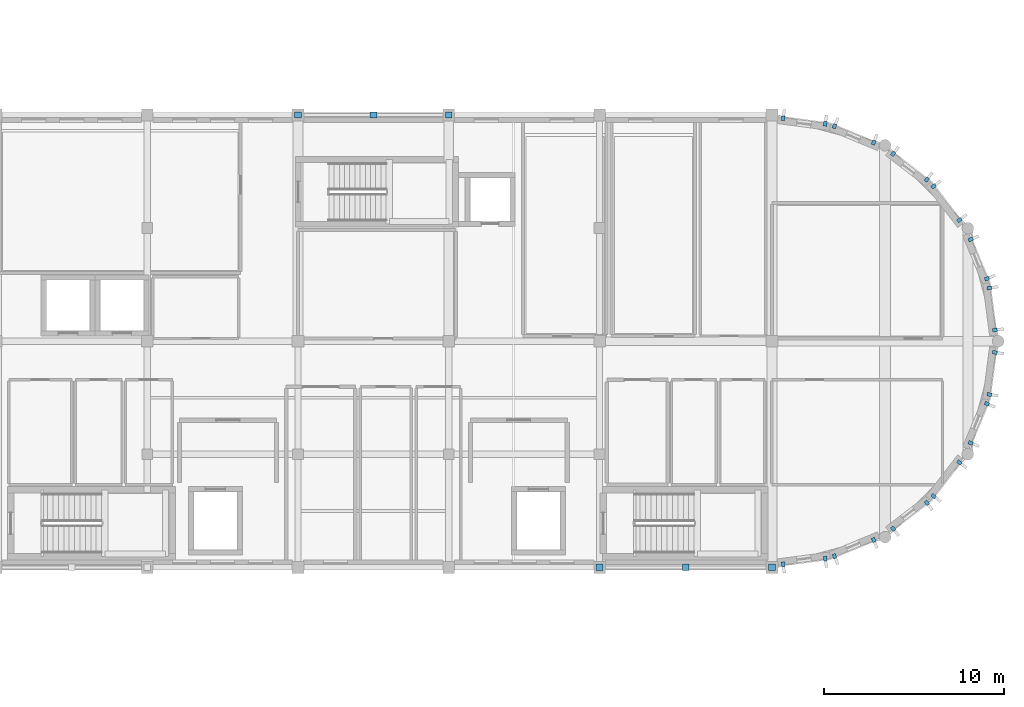
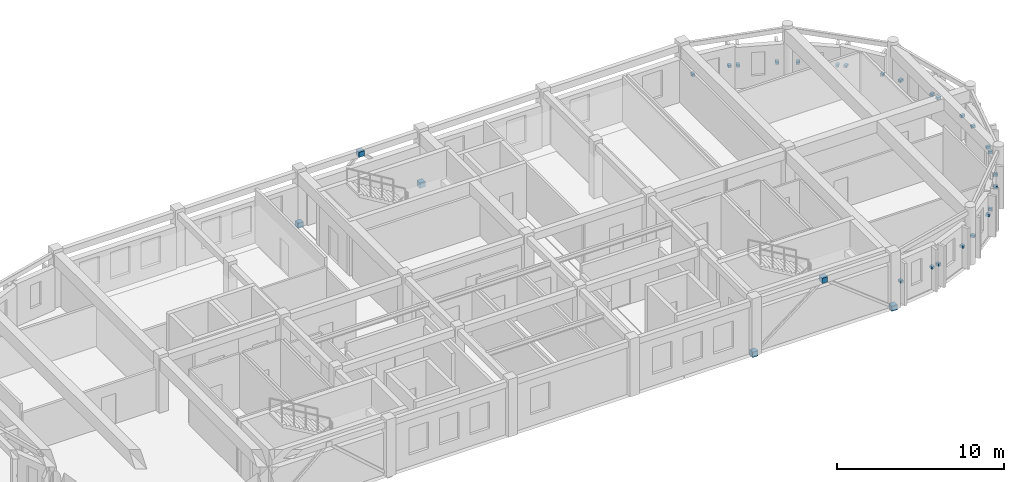
# One storey, part 22 of 29: 30 discrete accessories.
"""IFC4 building model written with IfcOpenShell, lengths in metres."""

from ifc_helpers import new_model, si_unit, direction, frame, origin, origin_2d, place, context, subcontext, project, spatial, rectangle, extrude, material, type_object, element, save


model = new_model("IFC4")

# Units and contexts
model_context = context("Model", 3, precision=1e-05, world=origin(), true_north=direction((0.0, 1.0)))
body_context = subcontext(model_context, "Body", "Model", "MODEL_VIEW")
ifc_project = project(units=[si_unit("LENGTHUNIT", "METRE"), si_unit("AREAUNIT", "SQUARE_METRE"), si_unit("VOLUMEUNIT", "CUBIC_METRE"), si_unit("PLANEANGLEUNIT", "RADIAN"), si_unit("MASSUNIT", "GRAM", prefix="KILO")], contexts=[model_context])

# Site, building, storey
site_placement = place(None, origin())
site = spatial("IfcSite", under=ifc_project, at=site_placement, CompositionType="ELEMENT")
building_placement = place(site_placement, origin())
building = spatial("IfcBuilding", under=site, at=building_placement, Name="Tarnavel Promenade Courthouse", CompositionType="ELEMENT")
storey_placement = place(building_placement, frame((0.0, 0.0, 22.800048828125)))
storey = spatial("IfcBuildingStorey", under=building, at=storey_placement, Name="L06", CompositionType="ELEMENT", Elevation=22.800048828125)

# Discrete accessories
ifc_material = material(Name="Steel S355J2", Category="steel")
discrete_accessory_type_1 = type_object("IfcDiscreteAccessoryType", Name="Steel S355J2 Facade Pier Anchor Bracket", PredefinedType="BRACKET", material=ifc_material)
for number, where, z_axis, x_axis, name in (
    (1, (102.62646484375, 79.38330078125, 1.4599609375), (0.0, 0.0, 1.0), (0.991444861374, 0.13052619222, 0.0), "L06 Drum Pier Bracket 0199"),
    (2, (104.970458984375, 79.69189453125, 1.4599609375), (0.0, 0.0, 1.0), (0.991444861374, 0.13052619222, 0.0), "L06 Drum Pier Bracket 0200"),
    (3, (105.4814453125, 79.828857421875, 1.41015625), (0.0, 0.0, 1.0), (0.923879532511, 0.382683432365, 0.0), "L06 Drum Pier Bracket 0201"),
    (4, (107.665771484375, 80.733642578125, 1.41015625), (0.0, 0.0, 1.0), (0.923879532511, 0.382683432365, 0.0), "L06 Drum Pier Bracket 0202"),
    (5, (108.750732421875, 81.360107421875, 1.41015625), (0.0, 0.0, 1.0), (0.793353340291, 0.608761429009, 0.0), "L06 Drum Pier Bracket 0203"),
    (6, (110.62646484375, 82.79931640625, 1.41015625), (0.0, 0.0, 1.0), (0.793353340291, 0.608761429009, 0.0), "L06 Drum Pier Bracket 0204"),
    (7, (111.000732421875, 83.173583984375, 1.4599609375), (0.0, 0.0, 1.0), (0.608761429009, 0.793353340291, 0.0), "L06 Drum Pier Bracket 0205"),
    (8, (112.43994140625, 85.04931640625, 1.4599609375), (0.0, 0.0, 1.0), (0.608761429009, 0.793353340291, 0.0), "L06 Drum Pier Bracket 0206"),
    (9, (113.06640625, 86.13427734375, 1.4599609375), (0.0, 0.0, 1.0), (0.382683432365, 0.923879532511, 0.0), "L06 Drum Pier Bracket 0207"),
    (10, (113.97119140625, 88.318603515625, 1.4599609375), (0.0, 0.0, 1.0), (0.382683432365, 0.923879532511, 0.0), "L06 Drum Pier Bracket 0208"),
    (11, (114.108154296875, 88.82958984375, 1.4599609375), (0.0, 0.0, 1.0), (0.13052619222, 0.991444861374, 0.0), "L06 Drum Pier Bracket 0209"),
    (12, (114.416748046875, 91.173583984375, 1.4599609375), (0.0, 0.0, 1.0), (0.13052619222, 0.991444861374, 0.0), "L06 Drum Pier Bracket 0210"),
    (13, (114.416748046875, 92.426513671875, 1.4599609375), (0.0, 0.0, 1.0), (-0.13052619222, 0.991444861374, 0.0), "L06 Drum Pier Bracket 0211"),
    (14, (114.108154296875, 94.7705078125, 1.4599609375), (0.0, 0.0, 1.0), (-0.13052619222, 0.991444861374, 0.0), "L06 Drum Pier Bracket 0212"),
    (15, (113.97119140625, 95.281494140625, 1.4599609375), (0.0, 0.0, 1.0), (-0.382683432365, 0.923879532511, 0.0), "L06 Drum Pier Bracket 0213"),
    (16, (113.06640625, 97.4658203125, 1.4599609375), (0.0, 0.0, 1.0), (-0.382683432365, 0.923879532511, 0.0), "L06 Drum Pier Bracket 0214"),
    (17, (112.43994140625, 98.55078125, 1.4599609375), (0.0, 0.0, 1.0), (-0.608761429009, 0.793353340291, 0.0), "L06 Drum Pier Bracket 0215"),
    (18, (111.000732421875, 100.426513671875, 1.4599609375), (0.0, 0.0, 1.0), (-0.608761429009, 0.793353340291, 0.0), "L06 Drum Pier Bracket 0216"),
    (19, (110.62646484375, 100.80078125, 1.41015625), (0.0, 0.0, 1.0), (-0.793353340291, 0.608761429009, 0.0), "L06 Drum Pier Bracket 0217"),
    (20, (108.750732421875, 102.239990234375, 1.41015625), (0.0, 0.0, 1.0), (-0.793353340291, 0.608761429009, 0.0), "L06 Drum Pier Bracket 0218"),
    (21, (107.665771484375, 102.866455078125, 1.41015625), (0.0, 0.0, 1.0), (-0.923879532511, 0.382683432365, 0.0), "L06 Drum Pier Bracket 0219"),
    (22, (105.4814453125, 103.77099609375, 1.41015625), (0.0, 0.0, 1.0), (-0.923879532511, 0.382683432365, 0.0), "L06 Drum Pier Bracket 0220"),
    (23, (104.970458984375, 103.908203125, 1.4599609375), (0.0, 0.0, 1.0), (-0.991444861374, 0.13052619222, 0.0), "L06 Drum Pier Bracket 0221"),
    (24, (102.62646484375, 104.216796875, 1.4599609375), (0.0, 0.0, 1.0), (-0.991444861374, 0.13052619222, 0.0), "L06 Drum Pier Bracket 0222"),
):
    element("IfcDiscreteAccessory", number, at=place(storey_placement, frame(where, z_axis=z_axis, x_axis=x_axis)), inside=storey, type_object=discrete_accessory_type_1, Name=name, PredefinedType="BRACKET", context=body_context, shape_type="SweptSolid", body=[
        extrude(rectangle(XDim=0.199951171875, YDim=0.260009765625, at=origin_2d()), origin(), (0.0, 0.0, 1.0), 0.179931640625),
    ])
discrete_accessory_type_2 = type_object("IfcDiscreteAccessoryType", Name="Steel S355J2 Structural Connection Bracket", PredefinedType="BRACKET", material=ifc_material)
for number, where, z_axis, x_axis, name in (
    (25, (92.39990234375, 79.199951171875, -0.18994140625), (0.0, 0.0, 1.0), (1.0, 0.0, 0.0), "L06 V5 Chevron Brace Gusset Node 017-L"),
    (26, (97.199951171875, 79.199951171875, 3.52490234375), (0.0, 0.0, 1.0), (1.0, 0.0, 0.0), "L06 V5 Chevron Brace Gusset Node 017-M"),
    (27, (102.0, 79.199951171875, -0.18994140625), (0.0, 0.0, 1.0), (1.0, 0.0, 0.0), "L06 V5 Chevron Brace Gusset Node 017-R"),
    (28, (75.60009765625, 104.39990234375, -0.18994140625), (0.0, 0.0, 1.0), (1.0, 0.0, 0.0), "L06 V5 Chevron Brace Gusset Node 024-L"),
    (29, (79.800048828125, 104.39990234375, 3.52490234375), (0.0, 0.0, 1.0), (1.0, 0.0, 0.0), "L06 V5 Chevron Brace Gusset Node 024-M"),
    (30, (84.0, 104.39990234375, -0.18994140625), (0.0, 0.0, 1.0), (1.0, 0.0, 0.0), "L06 V5 Chevron Brace Gusset Node 024-R"),
):
    element("IfcDiscreteAccessory", number, at=place(storey_placement, frame(where, z_axis=z_axis, x_axis=x_axis)), inside=storey, type_object=discrete_accessory_type_2, Name=name, PredefinedType="BRACKET", context=body_context, shape_type="SweptSolid", body=[
        extrude(rectangle(XDim=0.3798828125, YDim=0.360107421875, at=origin_2d()), origin(), (0.0, 0.0, 1.0), 0.3798828125),
    ])

save(model, "model.ifc")
